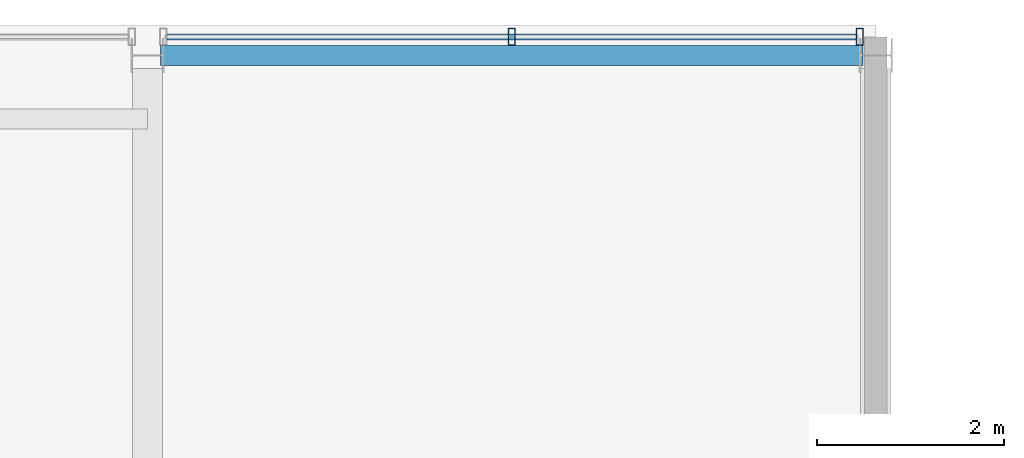
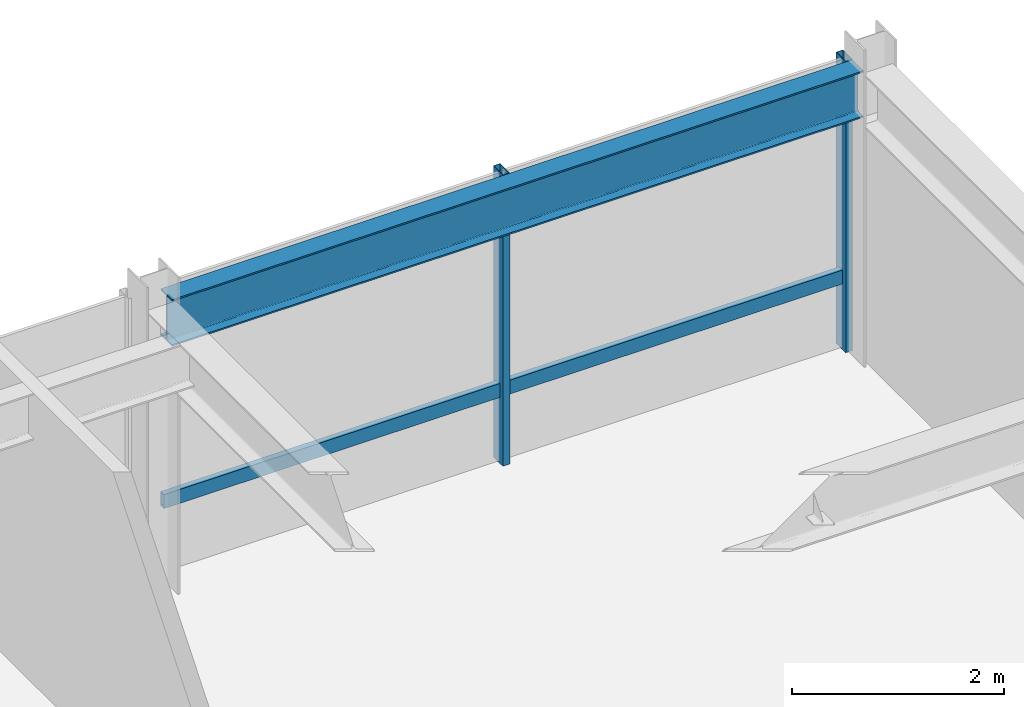
# One storey, part 26 of 34: 3 members, 1 beam, 1 element without a shape of its own.
"""IFC4 building model written with IfcOpenShell, lengths in metres."""

from ifc_helpers import new_model, si_unit, direction, frame, origin, origin_2d, place, context, subcontext, project, spatial, hollow_rectangle, i_section, extrude, material, layer, layer_set, material_profile, profile_set, type_object, element, aggregate, save


model = new_model("IFC4")

# Units and contexts
model_context = context("Model", 3, precision=1e-05, world=origin(), true_north=direction((0.0, 1.0)))
body_context = subcontext(model_context, "Body", "Model", "MODEL_VIEW")
ifc_project = project(units=[si_unit("LENGTHUNIT", "METRE"), si_unit("AREAUNIT", "SQUARE_METRE"), si_unit("VOLUMEUNIT", "CUBIC_METRE"), si_unit("PLANEANGLEUNIT", "RADIAN"), si_unit("MASSUNIT", "GRAM", prefix="KILO")], contexts=[model_context])

# Site, building, storey
site_placement = place(None, origin())
site = spatial("IfcSite", under=ifc_project, at=site_placement, CompositionType="ELEMENT")
building_placement = place(site_placement, origin())
building = spatial("IfcBuilding", under=site, at=building_placement, Name="Drelvath Grand Hotel", CompositionType="ELEMENT")
storey_placement = place(building_placement, frame((0.0, 0.0, 290.550048828125)))
storey = spatial("IfcBuildingStorey", under=building, at=storey_placement, Name="L76", CompositionType="ELEMENT", Elevation=290.550048828125)

# Curtain wall, members
ifc_material_1 = material(Name="Platinum-Mist Anodised Aluminium Frame", Category="aluminium")
ifc_layer = layer(ifc_material_1, 0.199951171875)
ifc_layer_set = layer_set([ifc_layer], Name="Platinum-Mist Anodised Aluminium Frame")
curtain_wall_type = type_object("IfcCurtainWallType", Name="Stick Curtain Wall CW-05 Platinum Mist High-Rise", PredefinedType="NOTDEFINED", material=ifc_layer_set)
curtain_wall_placement = place(storey_placement, origin())
curtain_wall = element("IfcCurtainWall", 1, at=curtain_wall_placement, inside=storey, type_object=curtain_wall_type, Name="L76 CW-05 Curtain Wall CW05-L76-NE2", PredefinedType="NOTDEFINED")
ifc_material_profile_1 = material_profile(ifc_material_1, hollow_rectangle(XDim=0.06494140625, YDim=0.159912109375, WallThickness=0.00390625, at=origin_2d()), Name="HSS160X65X4")
ifc_profile_set_1 = profile_set([ifc_material_profile_1], Name="Platinum-Mist Anodised Aluminium Frame")
member_type_1 = type_object("IfcMemberType", Name="Curtain Wall Horizontal Transom CW-05 HSS160X65X4", PredefinedType="USERDEFINED", material=ifc_profile_set_1)
member_1_placement = place(storey_placement, frame((8.610107421875, 49.080078125, 0.83740234375), z_axis=(1.0, 0.0, 0.0), x_axis=(0.0, 1.0, 0.0)))
member_1 = element("IfcMember", 2, at=member_1_placement, type_object=member_type_1, Name="CW05-L76-NE2 Sill Transom", ObjectType="TRANSOM", PredefinedType="USERDEFINED", context=body_context, shape_type="SweptSolid", body=[
    extrude(hollow_rectangle(XDim=0.06494140625, YDim=0.159912109375, WallThickness=0.00390625, at=origin_2d()), origin(), (0.0, 0.0, 1.0), 7.3798828125),
])
ifc_material_profile_2 = material_profile(ifc_material_1, hollow_rectangle(XDim=0.074951171875, YDim=0.179931640625, WallThickness=0.0048828125, at=origin_2d()), Name="HSS180X75X5")
ifc_profile_set_2 = profile_set([ifc_material_profile_2], Name="Platinum-Mist Anodised Aluminium Frame")
member_type_2 = type_object("IfcMemberType", Name="Curtain Wall Vertical Mullion CW-05 HSS180X75X5", PredefinedType="MULLION", material=ifc_profile_set_2)
member_2_placement = place(storey_placement, frame((12.300048828125, 49.080078125, 0.0), z_axis=(0.0, 0.0, 1.0), x_axis=(1.0, 0.0, 0.0)))
member_2 = element("IfcMember", 3, at=member_2_placement, type_object=member_type_2, Name="CW05-L76-NE2 Mullion 2", PredefinedType="MULLION", context=body_context, shape_type="SweptSolid", body=[
    extrude(hollow_rectangle(XDim=0.074951171875, YDim=0.179931640625, WallThickness=0.0048828125, at=origin_2d()), origin(), (0.0, 0.0, 1.0), 3.349853515625),
])
member_3_placement = place(storey_placement, frame((16.02978515625, 49.080078125, 0.0), z_axis=(0.0, 0.0, 1.0), x_axis=(1.0, 0.0, 0.0)))
member_3 = element("IfcMember", 4, at=member_3_placement, type_object=member_type_2, Name="CW05-L76-NE2 Mullion 3", PredefinedType="MULLION", context=body_context, shape_type="SweptSolid", body=[
    extrude(hollow_rectangle(XDim=0.074951171875, YDim=0.179931640625, WallThickness=0.0048828125, at=origin_2d()), origin(), (0.0, 0.0, 1.0), 3.349853515625),
])
aggregate(curtain_wall, [member_2, member_3, member_1])

# Beam
ifc_material_2 = material(Name="Steel ASTM A992 Gr 50", Category="steel")
ifc_material_profile_3 = material_profile(ifc_material_2, i_section(OverallWidth=0.210205078125, OverallDepth=0.53662109375, WebThickness=0.010986328125, FlangeThickness=0.017333984375, FilletRadius=0.01806640625, at=origin_2d()), Name="W21X68")
ifc_profile_set_3 = profile_set([ifc_material_profile_3], Name="Steel ASTM A992 Gr 50")
beam_type = type_object("IfcBeamType", Name="Perimeter Spandrel Beam W21X68", PredefinedType="SPANDREL", material=ifc_profile_set_3)
beam_placement = place(storey_placement, frame((8.5400390625, 48.8798828125, 3.08154296875), z_axis=(1.0, 0.0, 0.0), x_axis=(0.0, 1.0, 0.0)))
element("IfcBeam", 5, at=beam_placement, inside=storey, type_object=beam_type, Name="L76 Spandrel North E", PredefinedType="SPANDREL", context=body_context, shape_type="SweptSolid", body=[
    extrude(i_section(OverallWidth=0.210205078125, OverallDepth=0.53662109375, WebThickness=0.010986328125, FlangeThickness=0.017333984375, FilletRadius=0.01806640625, at=origin_2d()), origin(), (0.0, 0.0, 1.0), 7.52001953125),
])

save(model, "model.ifc")
